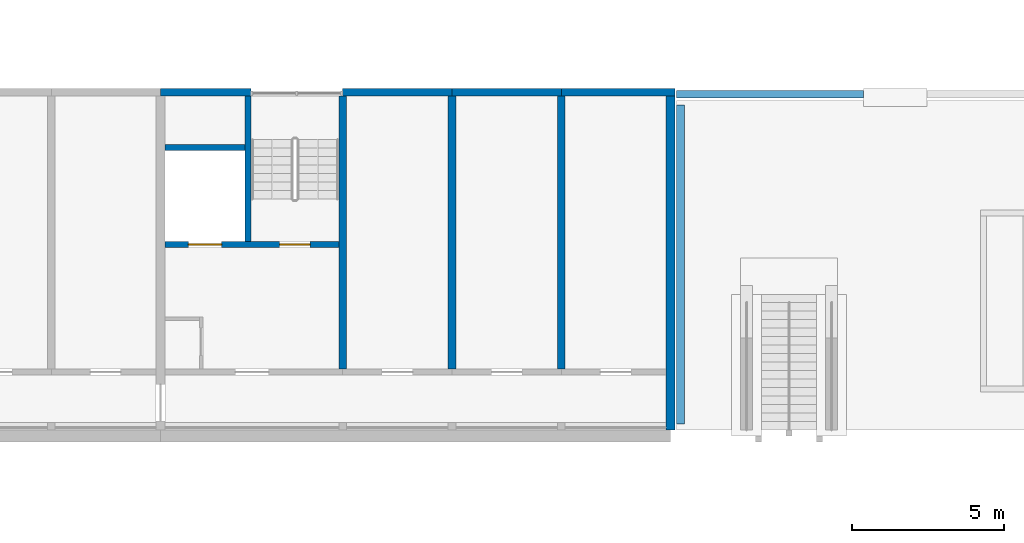
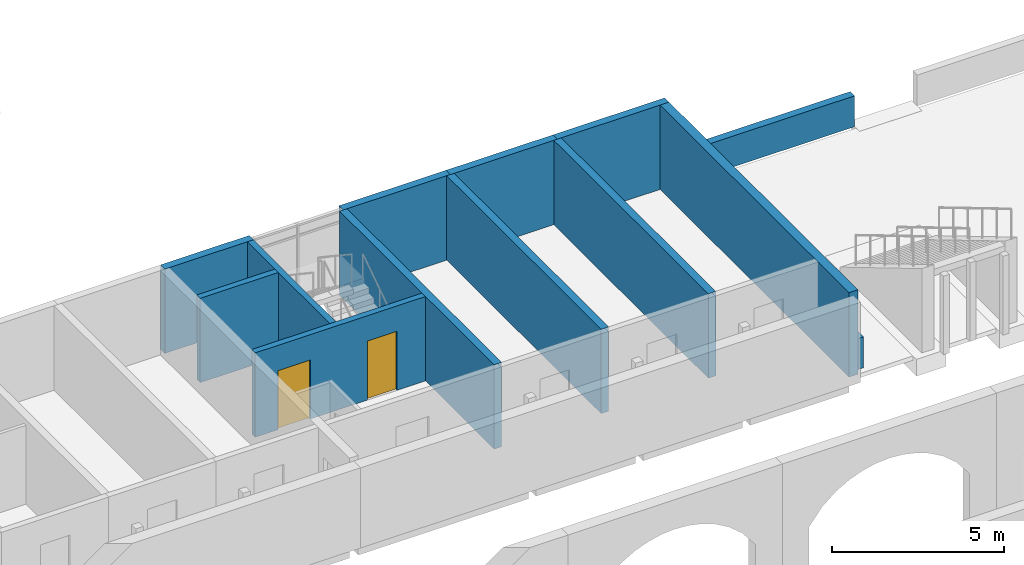
# One storey, part 74 of 122: 13 walls, 2 doors, 2 openings.
"""IFC4 building model written with IfcOpenShell, lengths in metres."""

from ifc_helpers import new_model, si_unit, direction, frame, frame_2d, origin, place, context, subcontext, project, spatial, rectangle, extrude, material, layer, layer_set, type_object, element, fill, save


model = new_model("IFC4")

# Units and contexts
model_context = context("Model", 3, precision=1e-05, world=origin(), true_north=direction((0.0, 1.0)))
body_context = subcontext(model_context, "Body", "Model", "MODEL_VIEW")
ifc_project = project(units=[si_unit("LENGTHUNIT", "METRE"), si_unit("AREAUNIT", "SQUARE_METRE"), si_unit("VOLUMEUNIT", "CUBIC_METRE"), si_unit("PLANEANGLEUNIT", "RADIAN"), si_unit("MASSUNIT", "GRAM", prefix="KILO")], contexts=[model_context])

# Site, building, storey
site_placement = place(None, origin())
site = spatial("IfcSite", under=ifc_project, at=site_placement, CompositionType="ELEMENT")
building_placement = place(site_placement, origin())
building = spatial("IfcBuilding", under=site, at=building_placement, Name="Ridgestep Commons", CompositionType="ELEMENT")
storey_placement = place(building_placement, frame((0.0, 0.0, 3.0)))
storey = spatial("IfcBuildingStorey", under=building, at=storey_placement, Name="L01", CompositionType="ELEMENT", Elevation=3.0)

# Walls
ifc_material_1 = material(Name="Precast concrete C40/50", Category="concrete")
ifc_layer_1 = layer(ifc_material_1, 0.25)
ifc_layer_set_1 = layer_set([ifc_layer_1], Name="Community terrace parapet 250")
wall_type_1 = type_object("IfcWallType", Name="Community terrace parapet 250", PredefinedType="PARAPET", material=ifc_layer_set_1)
wall_1_placement = place(storey_placement, frame((247.800048828125, 22.800048828125, 0.0), z_axis=(0.0, 0.0, 1.0), x_axis=(1.0, 0.0, 0.0)))
element("IfcWall", 1, at=wall_1_placement, inside=storey, type_object=wall_type_1, Name="Terrace parapet", PredefinedType="PARAPET", context=body_context, shape_type="SweptSolid", body=[
    extrude(rectangle(XDim=6.14990234375, YDim=0.25, at=frame_2d((3.074951171875, 0.0))), origin(), (0.0, 0.0, 1.0), 1.10009765625),
])
wall_2_placement = place(storey_placement, frame((247.925048828125, 11.949951171875, 0.0), z_axis=(0.0, 0.0, 1.0), x_axis=(0.0, 1.0, 0.0)))
element("IfcWall", 2, at=wall_2_placement, inside=storey, type_object=wall_type_1, Name="Terrace parapet", PredefinedType="PARAPET", context=body_context, shape_type="SweptSolid", body=[
    extrude(rectangle(XDim=10.5, YDim=0.25, at=frame_2d((5.25, 0.0))), origin(), (0.0, 0.0, 1.0), 1.10009765625),
])
ifc_material_2 = material(Name="Concrete C30/37", Category="concrete")
ifc_layer_2 = layer(ifc_material_2, 0.25)
ifc_layer_set_2 = layer_set([ifc_layer_2], Name="Core cross wall 250")
wall_type_2 = type_object("IfcWallType", Name="Core cross wall 250", PredefinedType="SHEAR", material=ifc_layer_set_2)
wall_3_placement = place(storey_placement, frame((236.800048828125, 13.75, 0.0), z_axis=(0.0, 0.0, 1.0), x_axis=(0.0, 1.0, 0.0)))
element("IfcWall", 3, at=wall_3_placement, inside=storey, type_object=wall_type_2, Name="Cross wall D-01-2368", PredefinedType="SHEAR", context=body_context, shape_type="SweptSolid", body=[
    extrude(rectangle(XDim=9.0, YDim=0.25, at=frame_2d((4.5, 0.0))), origin(), (0.0, 0.0, 1.0), 3.0),
])

# Wall, openings, doors
ifc_material_3 = material(Name="Concrete C30/37", Category="concrete")
ifc_layer_3 = layer(ifc_material_3, 0.199951171875)
ifc_layer_set_3 = layer_set([ifc_layer_3], Name="Core wall 200")
wall_type_3 = type_object("IfcWallType", Name="Core wall 200", PredefinedType="SHEAR", material=ifc_layer_set_3)
wall_4_placement = place(storey_placement, frame((230.949951171875, 17.85009765625, 0.0), z_axis=(0.0, 0.0, 1.0), x_axis=(1.0, 0.0, 0.0)))
wall_4 = element("IfcWall", 4, at=wall_4_placement, inside=storey, type_object=wall_type_3, Name="Core lobby wall D6C L01", PredefinedType="SHEAR", context=body_context, shape_type="SweptSolid", body=[
    extrude(rectangle(XDim=5.72509765625, YDim=0.199951171875, at=frame_2d((2.862548828125, 0.0))), origin(), (0.0, 0.0, 1.0), 3.0),
])
opening_1_placement = place(wall_4_placement, frame((3.77490234375, 0.0, 0.0)))
opening_1 = element("IfcOpeningElement", 5, at=opening_1_placement, cuts=wall_4, Name="Opening D6C/01/2", PredefinedType="OPENING", context=body_context, shape_type="SweptSolid", body=[
    extrude(rectangle(XDim=1.0, YDim=2.10009765625, at=frame_2d((0.5, 1.050048828125))), frame((0.0, 0.10986328125, 0.0), z_axis=(0.0, -1.0, 0.0), x_axis=(1.0, 0.0, 0.0)), (0.0, 0.0, 1.0), 0.219970703125),
])
opening_2_placement = place(wall_4_placement, frame((0.762451171875, 0.0, 0.0)))
opening_2 = element("IfcOpeningElement", 6, at=opening_2_placement, cuts=wall_4, Name="Opening D6C/01/3", PredefinedType="OPENING", context=body_context, shape_type="SweptSolid", body=[
    extrude(rectangle(XDim=1.10009765625, YDim=2.10009765625, at=frame_2d((0.550048828125, 1.050048828125))), frame((0.0, 0.10986328125, 0.0), z_axis=(0.0, -1.0, 0.0), x_axis=(1.0, 0.0, 0.0)), (0.0, 0.0, 1.0), 0.219970703125),
])
ifc_material_4 = material(Name="Stainless steel", Category="steel")
door_type_1 = type_object("IfcDoorType", Name="Lift landing door 1100 x 2100 FD60", OperationType="DOUBLE_DOOR_SLIDING", PredefinedType="DOOR", material=ifc_material_4)
door_1_placement = place(opening_2_placement, origin())
door_1 = element("IfcDoor", 7, at=door_1_placement, inside=storey, type_object=door_type_1, Name="Landing door LD D6C L01", OperationType="DOUBLE_DOOR_SLIDING", OverallHeight=2.10009765625, OverallWidth=1.10009765625, PredefinedType="DOOR", context=body_context, shape_type="SweptSolid", body=[
    extrude(rectangle(XDim=1.10009765625, YDim=2.10009765625, at=frame_2d((0.550048828125, 1.050048828125))), frame((0.0, 0.02490234375, 0.0), z_axis=(0.0, -1.0, 0.0), x_axis=(1.0, 0.0, 0.0)), (0.0, 0.0, 1.0), 0.050048828125),
])
fill(opening_2, door_1)
ifc_material_5 = material(Name="Steel fire door", Category="steel")
door_type_2 = type_object("IfcDoorType", Name="Stair door 1000 x 2100 FD60", OperationType="NOTDEFINED", PredefinedType="DOOR", material=ifc_material_5)
door_2_placement = place(opening_1_placement, origin())
door_2 = element("IfcDoor", 8, at=door_2_placement, inside=storey, type_object=door_type_2, Name="Stair door D6C/01/2", OperationType="SINGLE_SWING_RIGHT", OverallHeight=2.10009765625, OverallWidth=1.0, PredefinedType="DOOR", context=body_context, shape_type="SweptSolid", body=[
    extrude(rectangle(XDim=1.0, YDim=2.10009765625, at=frame_2d((0.5, 1.050048828125))), frame((0.0, 0.02490234375, 0.0), z_axis=(0.0, -1.0, 0.0), x_axis=(1.0, 0.0, 0.0)), (0.0, 0.0, 1.0), 0.050048828125),
])
fill(opening_1, door_2)

# Walls
wall_5_placement = place(storey_placement, frame((233.675048828125, 17.949951171875, 0.0), z_axis=(0.0, 0.0, 1.0), x_axis=(0.0, 1.0, 0.0)))
element("IfcWall", 9, at=wall_5_placement, inside=storey, type_object=wall_type_3, Name="Core stair wall D6C L01", PredefinedType="SHEAR", context=body_context, shape_type="SweptSolid", body=[
    extrude(rectangle(XDim=4.800048828125, YDim=0.199951171875, at=frame_2d((2.39990234375, 0.0))), origin(), (0.0, 0.0, 1.0), 3.0),
])
wall_6_placement = place(storey_placement, frame((230.949951171875, 21.050048828125, 0.0), z_axis=(0.0, 0.0, 1.0), x_axis=(1.0, 0.0, 0.0)))
element("IfcWall", 10, at=wall_6_placement, inside=storey, type_object=wall_type_3, Name="Core duct wall D6C L01", PredefinedType="SHEAR", context=body_context, shape_type="SweptSolid", body=[
    extrude(rectangle(XDim=2.625, YDim=0.199951171875, at=frame_2d((1.3125, 0.0))), origin(), (0.0, 0.0, 1.0), 3.0),
])
ifc_material_6 = material(Name="Precast concrete C40/50", Category="concrete")
ifc_layer_4 = layer(ifc_material_6, 0.25)
ifc_layer_set_4 = layer_set([ifc_layer_4], Name="Cross wall 250")
wall_type_4 = type_object("IfcWallType", Name="Cross wall 250", PredefinedType="SHEAR", material=ifc_layer_set_4)
for number, where, z_axis, x_axis, name in (
    (11, (240.39990234375, 13.75, 0.0), (0.0, 0.0, 1.0), (0.0, 1.0, 0.0), "Cross wall D-01-2404"),
    (12, (244.0, 13.75, 0.0), (0.0, 0.0, 1.0), (0.0, 1.0, 0.0), "Cross wall D-01-2440"),
):
    element("IfcWall", number, at=place(storey_placement, frame(where, z_axis=z_axis, x_axis=x_axis)), inside=storey, type_object=wall_type_4, Name=name, PredefinedType="SHEAR", context=body_context, shape_type="SweptSolid", body=[
        extrude(rectangle(XDim=9.0, YDim=0.25, at=frame_2d((4.5, 0.0))), origin(), (0.0, 0.0, 1.0), 3.0),
    ])
ifc_material_7 = material(Name="Precast concrete C40/50", Category="concrete")
ifc_layer_5 = layer(ifc_material_7, 0.300048828125)
ifc_layer_set_5 = layer_set([ifc_layer_5], Name="Exposed division wall 300")
wall_type_5 = type_object("IfcWallType", Name="Exposed division wall 300", PredefinedType="SHEAR", material=ifc_layer_set_5)
wall_7_placement = place(storey_placement, frame((247.60009765625, 11.75, 0.0), z_axis=(0.0, 0.0, 1.0), x_axis=(0.0, 1.0, 0.0)))
element("IfcWall", 13, at=wall_7_placement, inside=storey, type_object=wall_type_5, Name="Cross wall D-01-2476", PredefinedType="SHEAR", context=body_context, shape_type="SweptSolid", body=[
    extrude(rectangle(XDim=11.0, YDim=0.300048828125, at=frame_2d((5.5, 0.0))), origin(), (0.0, 0.0, 1.0), 3.0),
])
ifc_material_8 = material(Name="Precast concrete C40/50", Category="concrete")
ifc_layer_6 = layer(ifc_material_8, 0.25)
ifc_layer_set_6 = layer_set([ifc_layer_6], Name="North facade panel 250")
wall_type_6 = type_object("IfcWallType", Name="North facade panel 250", PredefinedType="SOLIDWALL", material=ifc_layer_set_6)
wall_8_placement = place(storey_placement, frame((230.800048828125, 22.875, 0.0), z_axis=(0.0, 0.0, 1.0), x_axis=(1.0, 0.0, 0.0)))
element("IfcWall", 14, at=wall_8_placement, inside=storey, type_object=wall_type_6, Name="North panel D6C L01", PredefinedType="SOLIDWALL", context=body_context, shape_type="SweptSolid", body=[
    extrude(rectangle(XDim=2.974853515625, YDim=0.25, at=frame_2d((1.4873046875, 0.0))), origin(), (0.0, 0.0, 1.0), 3.0),
])
wall_9_placement = place(storey_placement, frame((236.800048828125, 22.875, 0.0), z_axis=(0.0, 0.0, 1.0), x_axis=(1.0, 0.0, 0.0)))
element("IfcWall", 15, at=wall_9_placement, inside=storey, type_object=wall_type_6, Name="North panel D6T3 L01", PredefinedType="SOLIDWALL", context=body_context, shape_type="SweptSolid", body=[
    extrude(rectangle(XDim=3.599853515625, YDim=0.25, at=frame_2d((1.7998046875, 0.0))), origin(), (0.0, 0.0, 1.0), 3.0),
])
wall_10_placement = place(storey_placement, frame((240.39990234375, 22.875, 0.0), z_axis=(0.0, 0.0, 1.0), x_axis=(1.0, 0.0, 0.0)))
element("IfcWall", 16, at=wall_10_placement, inside=storey, type_object=wall_type_6, Name="North panel D6T2 L01", PredefinedType="SOLIDWALL", context=body_context, shape_type="SweptSolid", body=[
    extrude(rectangle(XDim=3.60009765625, YDim=0.25, at=frame_2d((1.800048828125, 0.0))), origin(), (0.0, 0.0, 1.0), 3.0),
])
wall_11_placement = place(storey_placement, frame((244.0, 22.875, 0.0), z_axis=(0.0, 0.0, 1.0), x_axis=(1.0, 0.0, 0.0)))
element("IfcWall", 17, at=wall_11_placement, inside=storey, type_object=wall_type_6, Name="North panel D6T1 L01", PredefinedType="SOLIDWALL", context=body_context, shape_type="SweptSolid", body=[
    extrude(rectangle(XDim=3.75, YDim=0.25, at=frame_2d((1.875, 0.0))), origin(), (0.0, 0.0, 1.0), 3.0),
])

save(model, "model.ifc")
